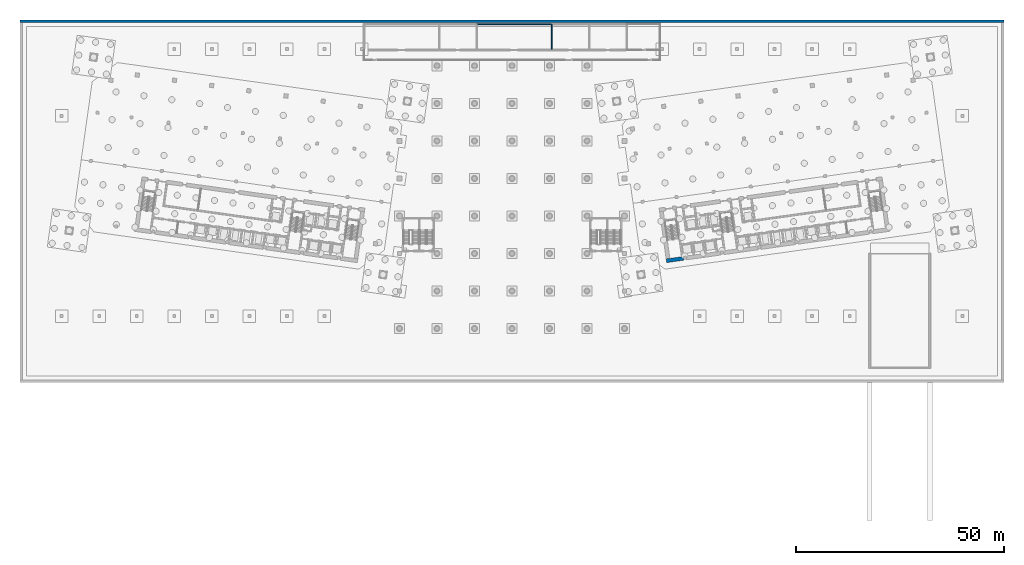
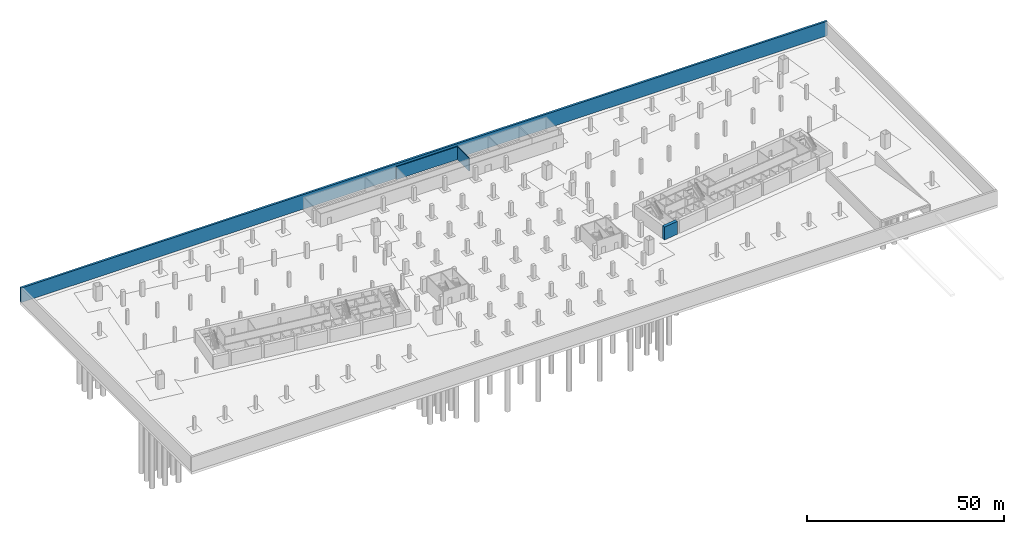
# One storey, part 9 of 19: 4 walls.
"""IFC4 building model written with IfcOpenShell, lengths in metres."""

from ifc_helpers import new_model, si_unit, direction, frame, frame_2d, origin, place, context, subcontext, project, spatial, rectangle, extrude, material, layer, layer_set, type_object, element, save


model = new_model("IFC4")

# Units and contexts
model_context = context("Model", 3, precision=1e-05, world=origin(), true_north=direction((0.0, 1.0)))
body_context = subcontext(model_context, "Body", "Model", "MODEL_VIEW")
ifc_project = project(units=[si_unit("LENGTHUNIT", "METRE"), si_unit("AREAUNIT", "SQUARE_METRE"), si_unit("VOLUMEUNIT", "CUBIC_METRE"), si_unit("PLANEANGLEUNIT", "RADIAN"), si_unit("MASSUNIT", "GRAM", prefix="KILO")], contexts=[model_context])

# Site, building, storey
site_placement = place(None, origin())
site = spatial("IfcSite", under=ifc_project, at=site_placement, CompositionType="ELEMENT")
building_placement = place(site_placement, origin())
building = spatial("IfcBuilding", under=site, at=building_placement, Name="Mirante Cascada Hotel Towers", CompositionType="ELEMENT")
storey_placement = place(building_placement, frame((0.0, 0.0, -9.0)))
storey = spatial("IfcBuildingStorey", under=building, at=storey_placement, Name="B2", CompositionType="ELEMENT", Elevation=-9.0)

# Walls
ifc_material_1 = material(Name="Masonry block", Category="masonry")
ifc_layer_1 = layer(ifc_material_1, 0.25)
ifc_layer_set_1 = layer_set([ifc_layer_1], Name="Basement plant room wall 250 block EI 120")
wall_type_1 = type_object("IfcWallType", Name="Basement plant room wall 250 block EI 120", PredefinedType="PARTITIONING", material=ifc_layer_set_1)
wall_1_placement = place(storey_placement, frame((-8.47, 37.0, 0.0), z_axis=(0.0, 0.0, 1.0), x_axis=(1.0, 0.0, 0.0)))
element("IfcWall", 1, at=wall_1_placement, inside=storey, type_object=wall_type_1, Name="Plant room wall B2", PredefinedType="PARTITIONING", context=body_context, shape_type="SweptSolid", body=[
    extrude(rectangle(XDim=17.94, YDim=0.25, at=frame_2d((8.97, 0.0))), origin(), (0.0, 0.0, 1.0), 4.0),
])
wall_2_placement = place(storey_placement, frame((9.5, 30.925, 0.0), z_axis=(0.0, 0.0, 1.0), x_axis=(0.0, 1.0, 0.0)))
element("IfcWall", 2, at=wall_2_placement, inside=storey, type_object=wall_type_1, Name="Plant room wall B2", PredefinedType="PARTITIONING", context=body_context, shape_type="SweptSolid", body=[
    extrude(rectangle(XDim=6.075, YDim=0.25, at=frame_2d((3.0375, 0.0))), origin(), (0.0, 0.0, 1.0), 4.0),
])
ifc_material_2 = material(Name="Concrete C50/60", Category="concrete")
ifc_layer_2 = layer(ifc_material_2, 0.9)
ifc_layer_set_2 = layer_set([ifc_layer_2], Name="RC core wall 900 C50/60")
wall_type_2 = type_object("IfcWallType", Name="RC core wall 900 C50/60", PredefinedType="SHEAR", material=ifc_layer_set_2)
wall_3_placement = place(storey_placement, frame((37.0379, -19.7432, 0.0), z_axis=(0.0, 0.0, 1.0), x_axis=(0.990267, 0.139181, 0.0)))
element("IfcWall", 3, at=wall_3_placement, inside=storey, type_object=wall_type_2, Name="Core wall T2:B2:1.1", PredefinedType="SHEAR", context=body_context, shape_type="SweptSolid", body=[
    extrude(rectangle(XDim=4.15, YDim=0.9, at=frame_2d((2.075, 0.0))), origin(), (0.0, 0.0, 1.0), 4.0),
])
ifc_material_3 = material(Name="Concrete C35/45", Category="concrete")
ifc_layer_3 = layer(ifc_material_3, 0.6)
ifc_layer_set_3 = layer_set([ifc_layer_3], Name="Retaining wall 600 C35/45")
wall_type_3 = type_object("IfcWallType", Name="Retaining wall 600 C35/45", PredefinedType="SOLIDWALL", material=ifc_layer_set_3)
wall_4_placement = place(storey_placement, frame((-118.0, 37.7, 0.0), z_axis=(0.0, 0.0, 1.0), x_axis=(1.0, 0.0, 0.0)))
element("IfcWall", 4, at=wall_4_placement, inside=storey, type_object=wall_type_3, Name="wall:B:B2:3", PredefinedType="SOLIDWALL", context=body_context, shape_type="SweptSolid", body=[
    extrude(rectangle(XDim=236.0, YDim=0.6, at=frame_2d((118.0, 0.0))), origin(), (0.0, 0.0, 1.0), 4.5),
])

save(model, "model.ifc")
